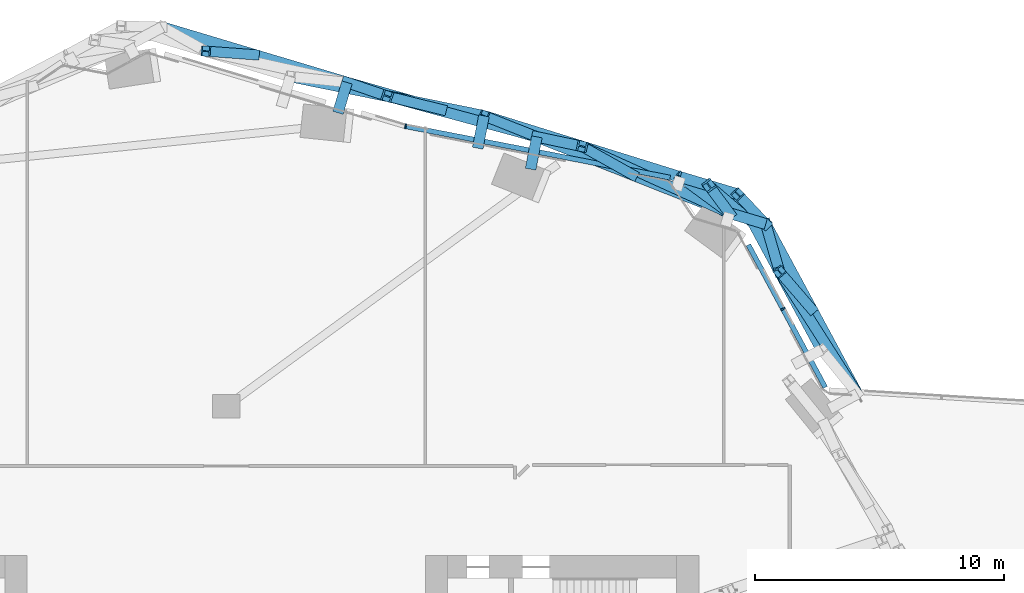
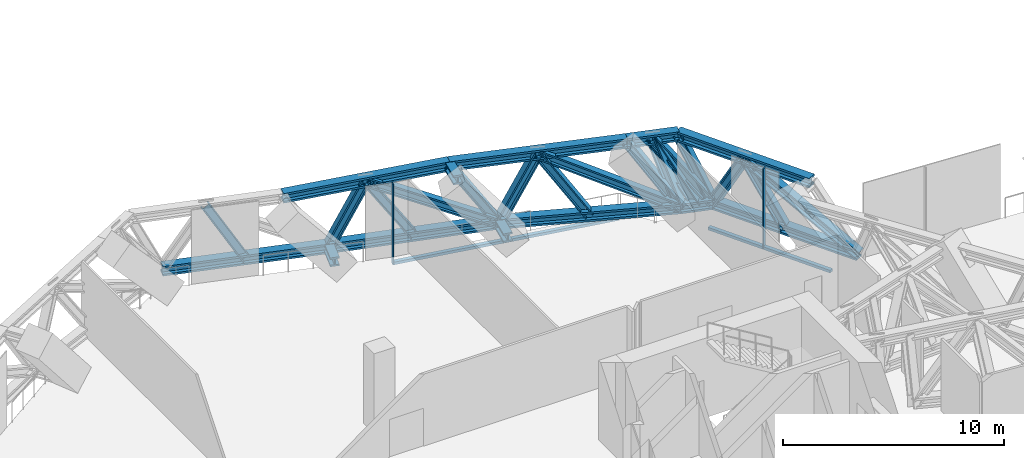
# One storey, part 15 of 39: 32 members, 2 elements without a shape of their own.
"""IFC4 building model written with IfcOpenShell, lengths in metres."""

from ifc_helpers import new_model, si_unit, direction, frame, origin, origin_2d, place, context, subcontext, project, spatial, rectangle, i_section, extrude, material, material_profile, profile_set, type_object, element, aggregate, save


model = new_model("IFC4")

# Units and contexts
model_context = context("Model", 3, precision=1e-05, world=origin(), true_north=direction((0.0, 1.0)))
body_context = subcontext(model_context, "Body", "Model", "MODEL_VIEW")
ifc_project = project(units=[si_unit("LENGTHUNIT", "METRE"), si_unit("AREAUNIT", "SQUARE_METRE"), si_unit("VOLUMEUNIT", "CUBIC_METRE"), si_unit("PLANEANGLEUNIT", "RADIAN"), si_unit("MASSUNIT", "GRAM", prefix="KILO")], contexts=[model_context])

# Site, building, storey
site_placement = place(None, origin())
site = spatial("IfcSite", under=ifc_project, at=site_placement, CompositionType="ELEMENT")
building_placement = place(site_placement, origin())
building = spatial("IfcBuilding", under=site, at=building_placement, Name="Orlundy Tower", CompositionType="ELEMENT")
storey_placement = place(building_placement, frame((0.0, 0.0, 141.199951171875)))
storey = spatial("IfcBuildingStorey", under=building, at=storey_placement, Name="L36", CompositionType="ELEMENT", Elevation=141.199951171875)

# Members
ifc_material_1 = material(Name="Steel ASTM A992 Gr 50", Category="steel")
ifc_material_profile_1 = material_profile(ifc_material_1, i_section(OverallWidth=0.4423828125, OverallDepth=0.531494140625, WebThickness=0.06591796875, FlangeThickness=0.105712890625, at=origin_2d()), Name="W14X605")
ifc_profile_set_1 = profile_set([ifc_material_profile_1], Name="Steel ASTM A992 Gr 50")
member_type_1 = type_object("IfcMemberType", Name="BELT TRUSS chord W14X605", PredefinedType="CHORD", material=ifc_profile_set_1)
member_1_placement = place(storey_placement, frame((25.36962890625, 18.5029296875, 0.28466796875), z_axis=(-0.474617682754, 0.88019205587, 0.0), x_axis=(-0.88019205587, -0.474617682754, 0.0)))
element("IfcMember", 1, at=member_1_placement, inside=storey, type_object=member_type_1, Name="Belt truss bottom chord BT-15A", PredefinedType="CHORD", context=body_context, shape_type="SweptSolid", body=[
    extrude(i_section(OverallWidth=0.4423828125, OverallDepth=0.531494140625, WebThickness=0.06591796875, FlangeThickness=0.105712890625, at=origin_2d()), origin(), (0.0, 0.0, 1.0), 7.758056640625),
])
member_2_placement = place(storey_placement, frame((23.9296875, 20.280517578125, 3.71533203125), z_axis=(-0.474640971286, 0.880179497817, 0.0), x_axis=(-0.880179497817, -0.474640971286, 0.0)))
element("IfcMember", 2, at=member_2_placement, inside=storey, type_object=member_type_1, Name="Belt truss top chord BT-15A", PredefinedType="CHORD", context=body_context, shape_type="SweptSolid", body=[
    extrude(i_section(OverallWidth=0.4423828125, OverallDepth=0.531494140625, WebThickness=0.06591796875, FlangeThickness=0.105712890625, at=origin_2d()), origin(), (0.0, 0.0, 1.0), 7.101318359375),
])
member_3_placement = place(storey_placement, frame((21.6875, 25.33154296875, 0.28466796875), z_axis=(-0.957980336982, 0.286833878675, 0.0), x_axis=(-0.286833878675, -0.957980336982, 0.0)))
element("IfcMember", 3, at=member_3_placement, inside=storey, type_object=member_type_1, Name="Belt truss bottom chord BT-15B", PredefinedType="CHORD", context=body_context, shape_type="SweptSolid", body=[
    extrude(i_section(OverallWidth=0.4423828125, OverallDepth=0.531494140625, WebThickness=0.06591796875, FlangeThickness=0.105712890625, at=origin_2d()), origin(), (0.0, 0.0, 1.0), 1.525390625),
])
member_4_placement = place(storey_placement, frame((20.55908203125, 26.531005859375, 3.71533203125), z_axis=(-0.957951678175, 0.286929577217, 0.0), x_axis=(-0.286929577217, -0.957951678175, 0.0)))
element("IfcMember", 4, at=member_4_placement, inside=storey, type_object=member_type_1, Name="Belt truss top chord BT-15B", PredefinedType="CHORD", context=body_context, shape_type="SweptSolid", body=[
    extrude(i_section(OverallWidth=0.4423828125, OverallDepth=0.531494140625, WebThickness=0.06591796875, FlangeThickness=0.105712890625, at=origin_2d()), origin(), (0.0, 0.0, 1.0), 2.40966796875),
])
member_5_placement = place(storey_placement, frame((20.226318359375, 25.76904296875, 0.28466796875), z_axis=(-0.929701397738, 0.368314147222, 0.0), x_axis=(-0.368314147222, -0.929701397738, 0.0)))
element("IfcMember", 5, at=member_5_placement, inside=storey, type_object=member_type_1, Name="Belt truss bottom chord BT-16A", PredefinedType="CHORD", context=body_context, shape_type="SweptSolid", body=[
    extrude(i_section(OverallWidth=0.4423828125, OverallDepth=0.531494140625, WebThickness=0.06591796875, FlangeThickness=0.105712890625, at=origin_2d()), origin(), (0.0, 0.0, 1.0), 8.32421875),
])
member_6_placement = place(storey_placement, frame((18.250732421875, 27.222412109375, 3.71533203125), z_axis=(-0.95474664877, 0.297420303044, 0.0), x_axis=(-0.297420303044, -0.95474664877, 0.0)))
element("IfcMember", 6, at=member_6_placement, inside=storey, type_object=member_type_1, Name="Belt truss top chord BT-16A", PredefinedType="CHORD", context=body_context, shape_type="SweptSolid", body=[
    extrude(i_section(OverallWidth=0.4423828125, OverallDepth=0.531494140625, WebThickness=0.06591796875, FlangeThickness=0.105712890625, at=origin_2d()), origin(), (0.0, 0.0, 1.0), 8.263671875),
])
for number, where, z_axis, x_axis, name in (
    (7, (12.4873046875, 28.8349609375, 0.28466796875), (-0.961267079417, 0.275618580704, 0.0), (-0.275618580704, -0.961267079417, 0.0), "Belt truss bottom chord BT-17A"),
    (8, (10.361083984375, 29.68017578125, 3.71533203125), (-0.979977664385, 0.199107451658, 0.0), (-0.199107451658, -0.979977664385, 0.0), "Belt truss top chord BT-17A"),
):
    element("IfcMember", number, at=place(storey_placement, frame(where, z_axis=z_axis, x_axis=x_axis)), inside=storey, type_object=member_type_1, Name=name, PredefinedType="CHORD", context=body_context, shape_type="SweptSolid", body=[
        extrude(i_section(OverallWidth=0.4423828125, OverallDepth=0.531494140625, WebThickness=0.06591796875, FlangeThickness=0.105712890625, at=origin_2d()), origin(), (0.0, 0.0, 1.0), 7.939453125),
    ])
member_7_placement = place(storey_placement, frame((4.85546875, 31.023193359375, 0.28466796875), z_axis=(-0.957979467126, 0.286836783843, 0.0), x_axis=(-0.286836783843, -0.957979467126, 0.0)))
element("IfcMember", 9, at=member_7_placement, inside=storey, type_object=member_type_1, Name="Belt truss bottom chord BT-18A", PredefinedType="CHORD", context=body_context, shape_type="SweptSolid", body=[
    extrude(i_section(OverallWidth=0.4423828125, OverallDepth=0.531494140625, WebThickness=0.06591796875, FlangeThickness=0.105712890625, at=origin_2d()), origin(), (0.0, 0.0, 1.0), 7.75732421875),
])
ifc_material_2 = material(Name="Steel ASTM A992 Gr 50", Category="steel")
ifc_material_profile_2 = material_profile(ifc_material_2, i_section(OverallWidth=0.42431640625, OverallDepth=0.47412109375, WebThickness=0.0478515625, FlangeThickness=0.0771484375, at=origin_2d()), Name="W14X426")
ifc_profile_set_2 = profile_set([ifc_material_profile_2], Name="Steel ASTM A992 Gr 50")
member_type_2 = type_object("IfcMemberType", Name="BELT TRUSS diagonal W14X426", PredefinedType="BRACE", material=ifc_profile_set_2)
member_8_placement = place(storey_placement, frame((25.36962890625, 18.5029296875, 0.28466796875), z_axis=(-0.462938839389, 0.726250900134, 0.508180343028), x_axis=(-0.84325146496, -0.537519271136, 0.0)))
element("IfcMember", 10, at=member_8_placement, inside=storey, type_object=member_type_2, Name="Belt truss diagonal BT-15A-0", PredefinedType="BRACE", context=body_context, shape_type="SweptSolid", body=[
    extrude(i_section(OverallWidth=0.42431640625, OverallDepth=0.47412109375, WebThickness=0.0478515625, FlangeThickness=0.0771484375, at=origin_2d()), origin(), (0.0, 0.0, 1.0), 6.7509765625),
])
member_9_placement = place(storey_placement, frame((22.244384765625, 23.40576171875, 3.71533203125), z_axis=(-0.140151867968, 0.48466371527, -0.863399407578), x_axis=(-0.960641267354, -0.277791928351, 0.0)))
element("IfcMember", 11, at=member_9_placement, inside=storey, type_object=member_type_2, Name="Belt truss diagonal BT-15A-1", PredefinedType="BRACE", context=body_context, shape_type="SweptSolid", body=[
    extrude(i_section(OverallWidth=0.42431640625, OverallDepth=0.47412109375, WebThickness=0.0478515625, FlangeThickness=0.0771484375, at=origin_2d()), origin(), (0.0, 0.0, 1.0), 3.973388671875),
])
member_10_placement = place(storey_placement, frame((21.6875, 25.33154296875, 0.28466796875), z_axis=(-0.518694604244, 0.351103545482, 0.779539741051), x_axis=(-0.56055239549, -0.828118959999, 0.0)))
element("IfcMember", 12, at=member_10_placement, inside=storey, type_object=member_type_2, Name="Belt truss diagonal BT-15B-0", PredefinedType="BRACE", context=body_context, shape_type="SweptSolid", body=[
    extrude(i_section(OverallWidth=0.42431640625, OverallDepth=0.47412109375, WebThickness=0.0478515625, FlangeThickness=0.0771484375, at=origin_2d()), origin(), (0.0, 0.0, 1.0), 4.40087890625),
])
member_11_placement = place(storey_placement, frame((19.40478515625, 26.876708984375, 3.71533203125), z_axis=(0.222187829276, -0.299573902356, -0.927840528081), x_axis=(0.803196395073, 0.595714319907, 0.0)))
element("IfcMember", 13, at=member_11_placement, inside=storey, type_object=member_type_2, Name="Belt truss diagonal BT-15B-1", PredefinedType="BRACE", context=body_context, shape_type="SweptSolid", body=[
    extrude(i_section(OverallWidth=0.42431640625, OverallDepth=0.47412109375, WebThickness=0.0478515625, FlangeThickness=0.0771484375, at=origin_2d()), origin(), (0.0, 0.0, 1.0), 3.697509765625),
])
member_12_placement = place(storey_placement, frame((20.226318359375, 25.76904296875, 0.28466796875), z_axis=(-0.80555742145, 0.364942426064, 0.466791459225), x_axis=(-0.412659283689, -0.910885456896, 0.0)))
element("IfcMember", 14, at=member_12_placement, inside=storey, type_object=member_type_2, Name="Belt truss diagonal BT-16A-0", PredefinedType="BRACE", context=body_context, shape_type="SweptSolid", body=[
    extrude(i_section(OverallWidth=0.42431640625, OverallDepth=0.47412109375, WebThickness=0.0478515625, FlangeThickness=0.0771484375, at=origin_2d()), origin(), (0.0, 0.0, 1.0), 7.349365234375),
])
member_13_placement = place(storey_placement, frame((14.305908203125, 28.451171875, 3.71533203125), z_axis=(-0.46609308393, 0.0983619718, -0.879250908226), x_axis=(-0.206487090713, -0.978449324886, 0.0)))
element("IfcMember", 15, at=member_13_placement, inside=storey, type_object=member_type_2, Name="Belt truss diagonal BT-16A-1", PredefinedType="BRACE", context=body_context, shape_type="SweptSolid", body=[
    extrude(i_section(OverallWidth=0.42431640625, OverallDepth=0.47412109375, WebThickness=0.0478515625, FlangeThickness=0.0771484375, at=origin_2d()), origin(), (0.0, 0.0, 1.0), 3.90185546875),
])
member_14_placement = place(storey_placement, frame((12.4873046875, 28.8349609375, 0.28466796875), z_axis=(-0.845443651974, 0.229851991082, 0.48207166846), x_axis=(-0.26234864977, -0.964973152976, 0.0)))
element("IfcMember", 16, at=member_14_placement, inside=storey, type_object=member_type_2, Name="Belt truss diagonal BT-17A-0", PredefinedType="BRACE", context=body_context, shape_type="SweptSolid", body=[
    extrude(i_section(OverallWidth=0.42431640625, OverallDepth=0.47412109375, WebThickness=0.0478515625, FlangeThickness=0.0771484375, at=origin_2d()), origin(), (0.0, 0.0, 1.0), 7.116455078125),
])
member_15_placement = place(storey_placement, frame((6.470703125, 30.470703125, 3.71533203125), z_axis=(-0.421519860449, 0.144180689872, -0.895283718111), x_axis=(-0.323640509778, -0.946180120501, 0.0)))
element("IfcMember", 17, at=member_15_placement, inside=storey, type_object=member_type_2, Name="Belt truss diagonal BT-17A-1", PredefinedType="BRACE", context=body_context, shape_type="SweptSolid", body=[
    extrude(i_section(OverallWidth=0.42431640625, OverallDepth=0.47412109375, WebThickness=0.0478515625, FlangeThickness=0.0771484375, at=origin_2d()), origin(), (0.0, 0.0, 1.0), 3.83203125),
])
ifc_material_3 = material(Name="Steel ASTM A992 Gr 50", Category="steel")
ifc_material_profile_3 = material_profile(ifc_material_3, i_section(OverallWidth=0.412109375, OverallDepth=0.434814453125, WebThickness=0.035888671875, FlangeThickness=0.057373046875, at=origin_2d()), Name="W14X311")
ifc_profile_set_3 = profile_set([ifc_material_profile_3], Name="Steel ASTM A992 Gr 50")
member_type_3 = type_object("IfcMemberType", Name="BELT TRUSS post W14X311", PredefinedType="POST", material=ifc_profile_set_3)
member_16_placement = place(storey_placement, frame((23.528564453125, 21.917236328125, 0.28466796875), z_axis=(-0.324778174528, 0.376458655912, 0.86763933621), x_axis=(-0.757166364037, -0.653222088705, 0.0)))
element("IfcMember", 18, at=member_16_placement, inside=storey, type_object=member_type_3, Name="Belt truss post BT-15A-1", PredefinedType="POST", context=body_context, shape_type="SweptSolid", body=[
    extrude(i_section(OverallWidth=0.412109375, OverallDepth=0.434814453125, WebThickness=0.035888671875, FlangeThickness=0.057373046875, at=origin_2d()), origin(), (0.0, 0.0, 1.0), 3.9541015625),
])
member_17_placement = place(storey_placement, frame((21.6875, 25.33154296875, 0.28466796875), z_axis=(-0.296526359098, 0.315195586813, 0.90151198573), x_axis=(-0.728347952828, -0.685207457352, 0.0)))
element("IfcMember", 19, at=member_17_placement, inside=storey, type_object=member_type_3, Name="Belt truss post BT-15A-2", PredefinedType="POST", context=body_context, shape_type="SweptSolid", body=[
    extrude(i_section(OverallWidth=0.412109375, OverallDepth=0.434814453125, WebThickness=0.035888671875, FlangeThickness=0.057373046875, at=origin_2d()), origin(), (0.0, 0.0, 1.0), 3.805419921875),
])
member_18_placement = place(storey_placement, frame((20.956787109375, 25.55029296875, 0.28466796875), z_axis=(-0.388759975199, 0.3322530982, 0.859344843715), x_axis=(-0.649697564391, -0.760192787932, 0.0)))
element("IfcMember", 20, at=member_18_placement, inside=storey, type_object=member_type_3, Name="Belt truss post BT-15B-1", PredefinedType="POST", context=body_context, shape_type="SweptSolid", body=[
    extrude(i_section(OverallWidth=0.412109375, OverallDepth=0.434814453125, WebThickness=0.035888671875, FlangeThickness=0.057373046875, at=origin_2d()), origin(), (0.0, 0.0, 1.0), 3.9921875),
])
member_19_placement = place(storey_placement, frame((20.226318359375, 25.76904296875, 0.28466796875), z_axis=(-0.468460446708, 0.344629886215, 0.813495575524), x_axis=(-0.592584267085, -0.805508464514, 0.0)))
element("IfcMember", 21, at=member_19_placement, inside=storey, type_object=member_type_3, Name="Belt truss post BT-15B-2", PredefinedType="POST", context=body_context, shape_type="SweptSolid", body=[
    extrude(i_section(OverallWidth=0.412109375, OverallDepth=0.434814453125, WebThickness=0.035888671875, FlangeThickness=0.057373046875, at=origin_2d()), origin(), (0.0, 0.0, 1.0), 4.21728515625),
])
member_20_placement = place(storey_placement, frame((16.356689453125, 27.302001953125, 0.28466796875), z_axis=(-0.493116601576, 0.276321409954, 0.824913629207), x_axis=(-0.48884053255, -0.872373161976, 0.0)))
element("IfcMember", 22, at=member_20_placement, inside=storey, type_object=member_type_3, Name="Belt truss post BT-16A-1", PredefinedType="POST", context=body_context, shape_type="SweptSolid", body=[
    extrude(i_section(OverallWidth=0.412109375, OverallDepth=0.434814453125, WebThickness=0.035888671875, FlangeThickness=0.057373046875, at=origin_2d()), origin(), (0.0, 0.0, 1.0), 4.158935546875),
])
member_21_placement = place(storey_placement, frame((12.4873046875, 28.8349609375, 0.28466796875), z_axis=(-0.515613625081, 0.204966628778, 0.831944271402), x_axis=(-0.369402957768, -0.929269312305, 0.0)))
element("IfcMember", 23, at=member_21_placement, inside=storey, type_object=member_type_3, Name="Belt truss post BT-16A-2", PredefinedType="POST", context=body_context, shape_type="SweptSolid", body=[
    extrude(i_section(OverallWidth=0.412109375, OverallDepth=0.434814453125, WebThickness=0.035888671875, FlangeThickness=0.057373046875, at=origin_2d()), origin(), (0.0, 0.0, 1.0), 4.123779296875),
])
member_22_placement = place(storey_placement, frame((8.67138671875, 29.92919921875, 0.28466796875), z_axis=(-0.535230861087, 0.131699805845, 0.83437586643), x_axis=(-0.238934664224, -0.971035646221, 0.0)))
element("IfcMember", 24, at=member_22_placement, inside=storey, type_object=member_type_3, Name="Belt truss post BT-17A-1", PredefinedType="POST", context=body_context, shape_type="SweptSolid", body=[
    extrude(i_section(OverallWidth=0.412109375, OverallDepth=0.434814453125, WebThickness=0.035888671875, FlangeThickness=0.057373046875, at=origin_2d()), origin(), (0.0, 0.0, 1.0), 4.111572265625),
])
member_23_placement = place(storey_placement, frame((1.139892578125, 32.1357421875, 0.28466796875), z_axis=(-0.495871689584, 0.036305883884, 0.867636531195), x_axis=(-0.07302082985, -0.997330415864, 0.0)))
element("IfcMember", 25, at=member_23_placement, inside=storey, type_object=member_type_3, Name="Belt truss post BT-18A-1", PredefinedType="POST", context=body_context, shape_type="SweptSolid", body=[
    extrude(i_section(OverallWidth=0.412109375, OverallDepth=0.434814453125, WebThickness=0.035888671875, FlangeThickness=0.057373046875, at=origin_2d()), origin(), (0.0, 0.0, 1.0), 3.9541015625),
])
ifc_material_4 = material(Name="Steel ASTM A992 Gr 50", Category="steel")
ifc_material_profile_4 = material_profile(ifc_material_4, i_section(OverallWidth=0.43212890625, OverallDepth=0.497802734375, WebThickness=0.0556640625, FlangeThickness=0.0888671875, at=origin_2d()), Name="W14X500")
ifc_profile_set_4 = profile_set([ifc_material_profile_4], Name="Steel ASTM A992 Gr 50")
member_type_4 = type_object("IfcMemberType", Name="BELT TRUSS strut W14X500", PredefinedType="STRUT", material=ifc_profile_set_4)
for number, where, z_axis, x_axis, name in (
    (26, (12.234619140625, 27.534912109375, 0.28466796875), (0.190795646995, 0.981629778016, 0.0), (-0.981629778016, 0.190795646995, 0.0), "Belt truss bracket C-H24"),
    (27, (10.1083984375, 28.380126953125, 3.71533203125), (0.190795646995, 0.981629778016, 0.0), (-0.981629778016, 0.190795646995, 0.0), "Belt truss bracket C-H24"),
):
    element("IfcMember", number, at=place(storey_placement, frame(where, z_axis=z_axis, x_axis=x_axis)), inside=storey, type_object=member_type_4, Name=name, PredefinedType="STRUT", context=body_context, shape_type="SweptSolid", body=[
        extrude(i_section(OverallWidth=0.43212890625, OverallDepth=0.497802734375, WebThickness=0.0556640625, FlangeThickness=0.0888671875, at=origin_2d()), origin(), (0.0, 0.0, 1.0), 1.324462890625),
    ])
member_24_placement = place(storey_placement, frame((4.48974609375, 29.801513671875, 0.28466796875), z_axis=(0.28678579341, 0.957994733127, 0.0), x_axis=(-0.957994733127, 0.28678579341, 0.0)))
element("IfcMember", 28, at=member_24_placement, inside=storey, type_object=member_type_4, Name="Belt truss bracket C-H23", PredefinedType="STRUT", context=body_context, shape_type="SweptSolid", body=[
    extrude(i_section(OverallWidth=0.43212890625, OverallDepth=0.497802734375, WebThickness=0.0556640625, FlangeThickness=0.0888671875, at=origin_2d()), origin(), (0.0, 0.0, 1.0), 1.275146484375),
])

# Curtain wall, member
ifc_material_5 = material(Name="Aluminium bronze anodised", Category="aluminium")
curtain_wall_type = type_object("IfcCurtainWallType", Name="CW4 wall", PredefinedType="NOTDEFINED", material=ifc_material_5)
curtain_wall_1_placement = place(storey_placement, origin())
curtain_wall_1 = element("IfcCurtainWall", 29, at=curtain_wall_1_placement, inside=storey, type_object=curtain_wall_type, Name="CW4 run 025", PredefinedType="NOTDEFINED")
ifc_material_6 = material(Name="Aluminium bronze anodised", Category="aluminium")
ifc_material_profile_5 = material_profile(ifc_material_6, rectangle(XDim=0.199951171875, YDim=0.06005859375, at=origin_2d()), Name="CW4 mullion 60x200")
ifc_profile_set_5 = profile_set([ifc_material_profile_5], Name="Aluminium bronze anodised")
member_type_5 = type_object("IfcMemberType", Name="CW4 mullion 60x200", PredefinedType="MULLION", material=ifc_profile_set_5)
member_25_placement = place(storey_placement, frame((7.20703125, 29.26220703125, -0.449951171875), z_axis=(0.0, 0.0, 1.0), x_axis=(0.239104114674, 0.970993935278, 0.0)))
member_25 = element("IfcMember", 30, at=member_25_placement, type_object=member_type_5, Name="CW4 mullion 44", PredefinedType="MULLION", context=body_context, shape_type="SweptSolid", body=[
    extrude(rectangle(XDim=0.199951171875, YDim=0.06005859375, at=origin_2d()), origin(), (0.0, 0.0, 1.0), 4.449951171875),
])

curtain_wall_2_placement = place(storey_placement, origin())
curtain_wall_2 = element("IfcCurtainWall", 31, at=curtain_wall_2_placement, inside=storey, type_object=curtain_wall_type, Name="CW4 run 028", PredefinedType="NOTDEFINED")
member_26_placement = place(storey_placement, frame((22.37841796875, 21.91796875, -0.449951171875), z_axis=(0.0, 0.0, 1.0), x_axis=(0.880180227785, 0.474639617623, 0.0)))
member_26 = element("IfcMember", 32, at=member_26_placement, type_object=member_type_5, Name="CW4 mullion 49", PredefinedType="MULLION", context=body_context, shape_type="SweptSolid", body=[
    extrude(rectangle(XDim=0.199951171875, YDim=0.06005859375, at=origin_2d()), origin(), (0.0, 0.0, 1.0), 4.449951171875),
])

# Member
ifc_material_7 = material(Name="Aluminium bronze anodised", Category="aluminium")
ifc_material_profile_6 = material_profile(ifc_material_7, rectangle(XDim=0.199951171875, YDim=0.14990234375, at=origin_2d()), Name="CW4 transom 200x150")
ifc_profile_set_6 = profile_set([ifc_material_profile_6], Name="Aluminium bronze anodised")
member_type_6 = type_object("IfcMemberType", Name="CW4 transom 200x150", PredefinedType="USERDEFINED", material=ifc_profile_set_6)
member_27_placement = place(storey_placement, frame((7.236328125, 29.256591796875, -0.375), z_axis=(0.981635022709, -0.190768661451, 0.0), x_axis=(0.190768661451, 0.981635022709, 0.0)))
member_27 = element("IfcMember", 33, at=member_27_placement, type_object=member_type_6, Name="CW4 transom", ObjectType="TRANSOM", PredefinedType="USERDEFINED", context=body_context, shape_type="SweptSolid", body=[
    extrude(rectangle(XDim=0.199951171875, YDim=0.14990234375, at=origin_2d()), origin(), (0.0, 0.0, 1.0), 10.80517578125),
])

aggregate(curtain_wall_1, [member_25, member_27])

member_28_placement = place(storey_placement, frame((20.987548828125, 24.497314453125, -0.375), z_axis=(0.474665303288, -0.880166376235, 0.0), x_axis=(0.880166376235, 0.474665303288, 0.0)))
member_28 = element("IfcMember", 34, at=member_28_placement, type_object=member_type_6, Name="CW4 transom", ObjectType="TRANSOM", PredefinedType="USERDEFINED", context=body_context, shape_type="SweptSolid", body=[
    extrude(rectangle(XDim=0.199951171875, YDim=0.14990234375, at=origin_2d()), origin(), (0.0, 0.0, 1.0), 6.5126953125),
])

aggregate(curtain_wall_2, [member_26, member_28])

save(model, "model.ifc")
